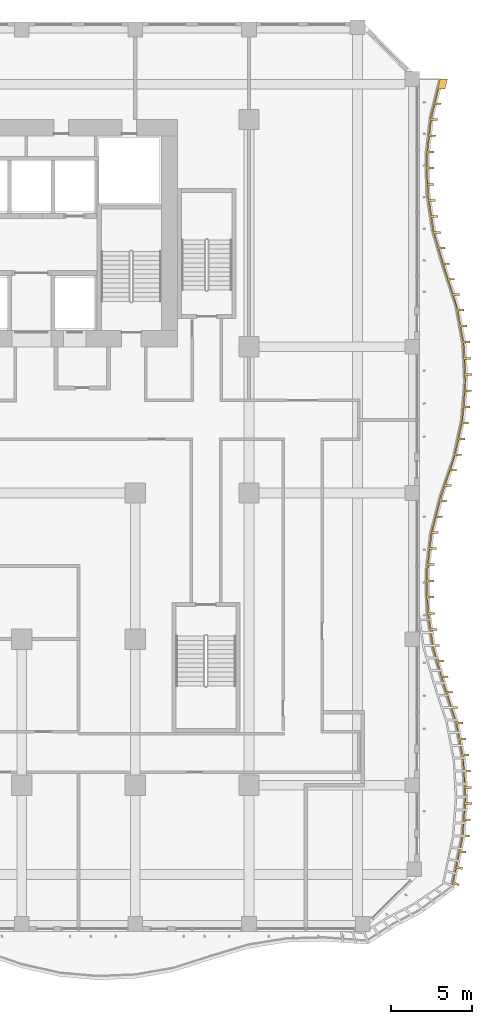
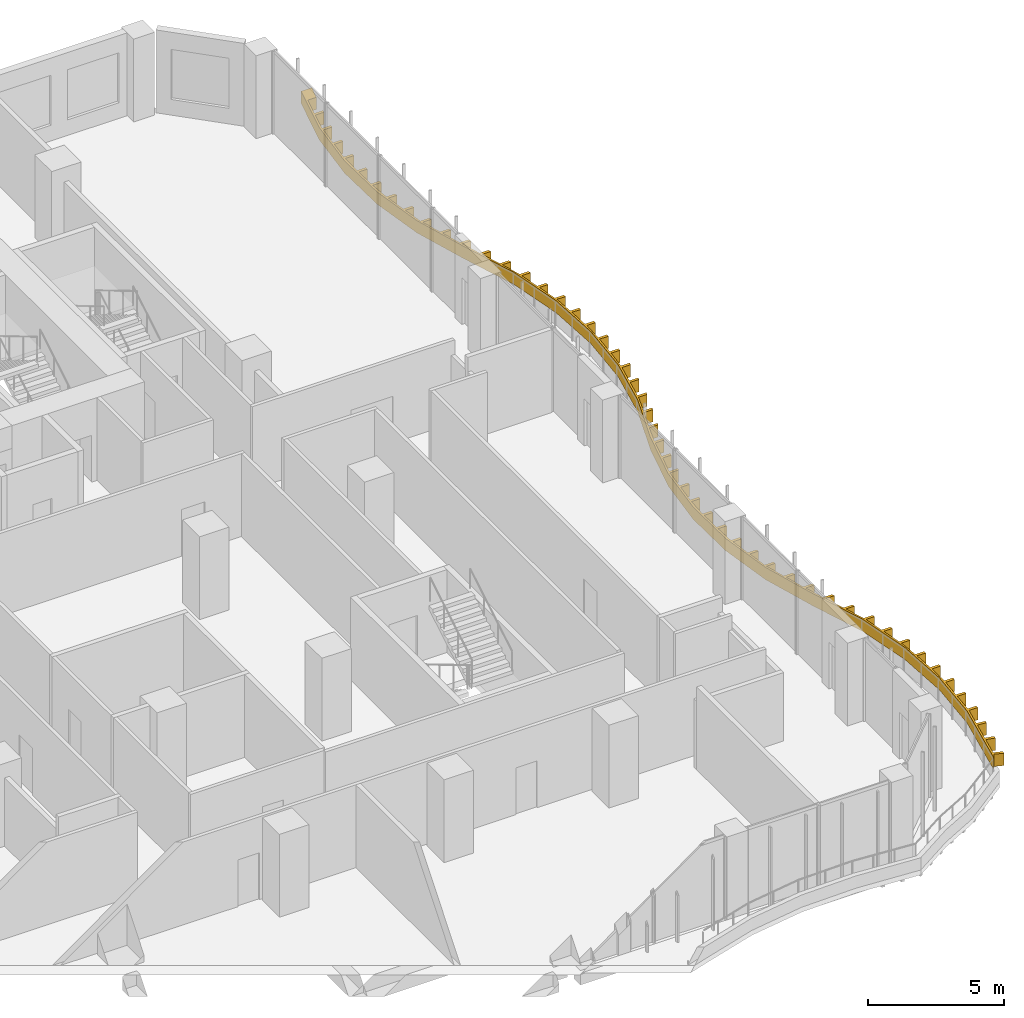
# One storey, part 25 of 28: 1 shading device.
"""IFC4 building model written with IfcOpenShell, lengths in metres."""

from ifc_helpers import new_model, si_unit, direction, frame, origin, place, context, subcontext, project, spatial, polyline, outline, extrude, source, transform, mapped, material, layer, layer_set, type_object, element, save


model = new_model("IFC4")

# Units and contexts
model_context = context("Model", 3, precision=1e-05, world=origin(), true_north=direction((0.0, 1.0)))
body_context = subcontext(model_context, "Body", "Model", "MODEL_VIEW")
ifc_project = project(units=[si_unit("LENGTHUNIT", "METRE"), si_unit("AREAUNIT", "SQUARE_METRE"), si_unit("VOLUMEUNIT", "CUBIC_METRE"), si_unit("PLANEANGLEUNIT", "RADIAN"), si_unit("MASSUNIT", "GRAM", prefix="KILO")], contexts=[model_context])

# Site, building, storey
site_placement = place(None, origin())
site = spatial("IfcSite", under=ifc_project, at=site_placement, CompositionType="ELEMENT")
building_placement = place(site_placement, origin())
building = spatial("IfcBuilding", under=site, at=building_placement, Name="Kilnfold Tower and Market Hall", CompositionType="ELEMENT")
storey_placement = place(building_placement, frame((0.0, 0.0, 75.199951171875)))
storey = spatial("IfcBuildingStorey", under=building, at=storey_placement, Name="L17", CompositionType="ELEMENT", Elevation=75.199951171875)

# Shading device
ifc_material = material(Name="Bronze anodised aluminium", Category="aluminium")
ifc_layer = layer(ifc_material, 0.550048828125)
ifc_layer_set = layer_set([ifc_layer], Name="Bronze anodised aluminium")
shading_device_type = type_object("IfcShadingDeviceType", Name="BRONZE SLAT FASCIA 550", PredefinedType="USERDEFINED", material=ifc_layer_set)
shared_shape = source(origin(), body_context, "Body", "SweptSolid", [
    extrude(outline(polyline([(35.432861328125, -25.205322265625), (35.087890625, -25.075439453125), (34.983154296875, -25.19580078125), (35.61767578125, -22.166748046875), (35.798583984375, -19.833251953125), (35.673583984375, -17.5), (35.235107421875, -15.166748046875), (34.467529296875, -12.833251953125), (33.7978515625, -10.5), (33.4560546875, -8.166748046875), (33.423583984375, -5.833251953125), (33.69873046875, -3.5), (34.29638671875, -1.166748046875), (35.10009765625, 1.166748046875), (35.607421875, 3.5), (35.7978515625, 5.833251953125), (35.681884765625, 8.166748046875), (35.25341796875, 10.5), (34.493408203125, 12.833251953125), (33.81298828125, 15.166748046875), (33.4619140625, 17.5), (33.420166015625, 19.833251953125), (33.685791015625, 22.166748046875), (34.2734375, 24.5), (34.723388671875, 24.5), (34.567626953125, 23.881591796875), (34.19775390625, 23.881591796875), (33.98291015625, 23.0283203125), (34.352783203125, 23.0283203125), (34.323486328125, 22.912109375), (33.95361328125, 22.912109375), (33.75341796875, 22.055908203125), (34.123291015625, 22.055908203125), (34.109619140625, 21.936767578125), (33.73974609375, 21.936767578125), (33.64013671875, 21.0625), (34.01025390625, 21.0625), (33.99658203125, 20.943115234375), (33.626708984375, 20.943115234375), (33.527099609375, 20.06884765625), (33.89697265625, 20.06884765625), (33.88330078125, 19.94970703125), (33.513427734375, 19.94970703125), (33.513916015625, 19.0703125), (33.8837890625, 19.0703125), (33.885986328125, 18.950439453125), (33.51611328125, 18.950439453125), (33.53173828125, 18.070556640625), (33.901611328125, 18.070556640625), (33.90380859375, 17.95068359375), (33.53369140625, 17.95068359375), (33.605712890625, 17.075439453125), (33.975830078125, 17.075439453125), (33.99365234375, 16.956787109375), (33.623779296875, 16.956787109375), (33.754638671875, 16.086669921875), (34.12451171875, 16.086669921875), (34.142578125, 15.968017578125), (33.7724609375, 15.968017578125), (33.91259765625, 15.099853515625), (34.28271484375, 15.099853515625), (34.316162109375, 14.984619140625), (33.9462890625, 14.984619140625), (34.1923828125, 14.1396484375), (34.5625, 14.1396484375), (34.59619140625, 14.0244140625), (34.22607421875, 14.0244140625), (34.472412109375, 13.1796875), (34.84228515625, 13.1796875), (34.8759765625, 13.064453125), (34.506103515625, 13.064453125), (34.771240234375, 12.2255859375), (35.141357421875, 12.2255859375), (35.178466796875, 12.111328125), (34.80859375, 12.111328125), (35.0810546875, 11.274658203125), (35.450927734375, 11.274658203125), (35.48828125, 11.16064453125), (35.1181640625, 11.16064453125), (35.36669921875, 10.31787109375), (35.73681640625, 10.31787109375), (35.75830078125, 10.19970703125), (35.388427734375, 10.19970703125), (35.54736328125, 9.334228515625), (35.91748046875, 9.334228515625), (35.939208984375, 9.21630859375), (35.569091796875, 9.21630859375), (35.72802734375, 8.3505859375), (36.097900390625, 8.3505859375), (36.11962890625, 8.232666015625), (35.749755859375, 8.232666015625), (35.80224609375, 7.354736328125), (36.172119140625, 7.354736328125), (36.177978515625, 7.23486328125), (35.80810546875, 7.23486328125), (35.851806640625, 6.35595703125), (36.2216796875, 6.35595703125), (36.227783203125, 6.236083984375), (35.85791015625, 6.236083984375), (35.839111328125, 5.358154296875), (36.208984375, 5.358154296875), (36.19921875, 5.238525390625), (35.8291015625, 5.238525390625), (35.757568359375, 4.361572265625), (36.127685546875, 4.361572265625), (36.117919921875, 4.241943359375), (35.747802734375, 4.241943359375), (35.658447265625, 3.367431640625), (36.028564453125, 3.367431640625), (36.0029296875, 3.250244140625), (35.633056640625, 3.250244140625), (35.446044921875, 2.390380859375), (35.816162109375, 2.390380859375), (35.79052734375, 2.273193359375), (35.420654296875, 2.273193359375), (35.233642578125, 1.4130859375), (35.603759765625, 1.4130859375), (35.578125, 1.2958984375), (35.208251953125, 1.2958984375), (34.9365234375, 0.459716796875), (35.306640625, 0.459716796875), (35.267578125, 0.34619140625), (34.8974609375, 0.34619140625), (34.611083984375, -0.48583984375), (34.98095703125, -0.48583984375), (34.94189453125, -0.599365234375), (34.572021484375, -0.599365234375), (34.306884765625, -1.437744140625), (34.677001953125, -1.437744140625), (34.647216796875, -1.55419921875), (34.27734375, -1.55419921875), (34.058837890625, -2.406494140625), (34.428955078125, -2.406494140625), (34.399169921875, -2.522705078125), (34.029052734375, -2.522705078125), (33.810791015625, -3.375244140625), (34.1806640625, -3.375244140625), (34.15087890625, -3.491455078125), (33.781005859375, -3.491455078125), (33.6767578125, -4.365234375), (34.046875, -4.365234375), (34.03271484375, -4.484375), (33.66259765625, -4.484375), (33.559814453125, -5.3583984375), (33.9296875, -5.3583984375), (33.91552734375, -5.4775390625), (33.545654296875, -5.4775390625), (33.510986328125, -6.35498046875), (33.880859375, -6.35498046875), (33.882568359375, -6.47509765625), (33.5126953125, -6.47509765625), (33.52490234375, -7.35498046875), (33.894775390625, -7.35498046875), (33.896484375, -7.474853515625), (33.526611328125, -7.474853515625), (33.5634765625, -8.352783203125), (33.933349609375, -8.352783203125), (33.95068359375, -8.4716796875), (33.580810546875, -8.4716796875), (33.708251953125, -9.34228515625), (34.078369140625, -9.34228515625), (34.095703125, -9.461181640625), (33.7255859375, -9.461181640625), (33.853271484375, -10.331787109375), (34.22314453125, -10.331787109375), (34.240478515625, -10.450439453125), (33.87060546875, -10.450439453125), (34.106689453125, -11.2978515625), (34.476806640625, -11.2978515625), (34.510009765625, -11.4130859375), (34.139892578125, -11.4130859375), (34.3828125, -12.2587890625), (34.752685546875, -12.2587890625), (34.785888671875, -12.374267578125), (34.415771484375, -12.374267578125), (34.67333984375, -13.215576171875), (35.04345703125, -13.215576171875), (35.080810546875, -13.32958984375), (34.7109375, -13.32958984375), (34.98583984375, -14.16552734375), (35.355712890625, -14.16552734375), (35.393310546875, -14.279541015625), (35.023193359375, -14.279541015625), (35.29833984375, -15.115478515625), (35.668212890625, -15.115478515625), (35.685302734375, -15.166748046875), (35.697509765625, -15.231689453125), (35.327392578125, -15.231689453125), (35.489990234375, -16.096435546875), (35.85986328125, -16.096435546875), (35.882080078125, -16.21435546875), (35.511962890625, -16.21435546875), (35.674560546875, -17.079345703125), (36.04443359375, -17.079345703125), (36.066650390625, -17.197265625), (35.696533203125, -17.197265625), (35.7841796875, -18.071044921875), (36.154052734375, -18.071044921875), (36.16064453125, -18.19091796875), (35.79052734375, -18.19091796875), (35.837646484375, -19.069580078125), (36.207763671875, -19.069580078125), (36.214111328125, -19.189453125), (35.84423828125, -19.189453125), (35.860595703125, -20.06787109375), (36.23046875, -20.06787109375), (36.22119140625, -20.1875), (35.851318359375, -20.1875), (35.783203125, -21.06494140625), (36.153076171875, -21.06494140625), (36.143798828125, -21.1845703125), (35.773681640625, -21.1845703125), (35.705810546875, -22.06201171875), (36.07568359375, -22.06201171875), (36.067626953125, -22.166748046875), (36.064453125, -22.181640625), (35.694580078125, -22.180908203125), (35.514892578125, -23.02978515625), (35.879150390625, -23.068603515625), (35.85400390625, -23.189697265625), (35.49072265625, -23.145751953125), (35.312744140625, -23.994384765625), (35.668701171875, -24.076416015625), (35.643310546875, -24.197509765625), (35.28857421875, -24.110107421875), (35.11181640625, -24.95947265625), (35.4580078125, -25.08447265625), (35.432861328125, -25.205322265625)])), origin(), (0.0, 0.0, 1.0), 0.550048828125),
])
shading_device_placement = place(storey_placement, frame((0.0, 0.0, 0.550048828125)))
element("IfcShadingDevice", 1, at=shading_device_placement, inside=storey, type_object=shading_device_type, Name="Balcony slat fascia L17", ObjectType="SLAT", PredefinedType="USERDEFINED", context=body_context, shape_type="MappedRepresentation", body=[
    mapped(shared_shape, transform((0.0, 0.0, 0.0))),
])

save(model, "model.ifc")
